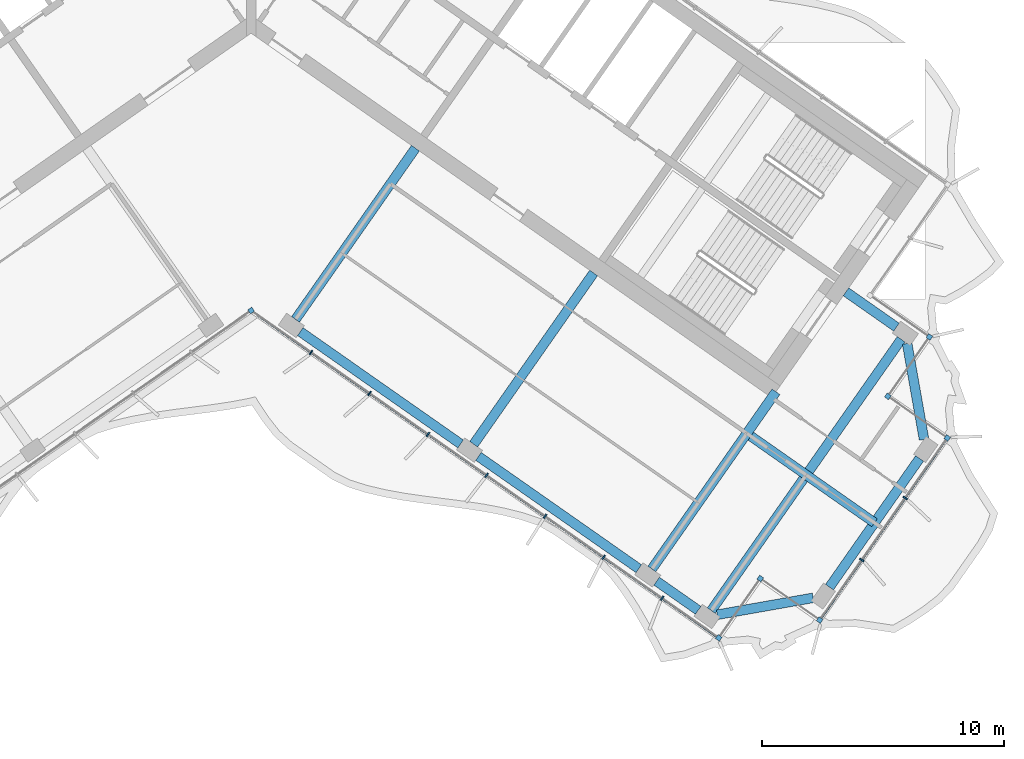
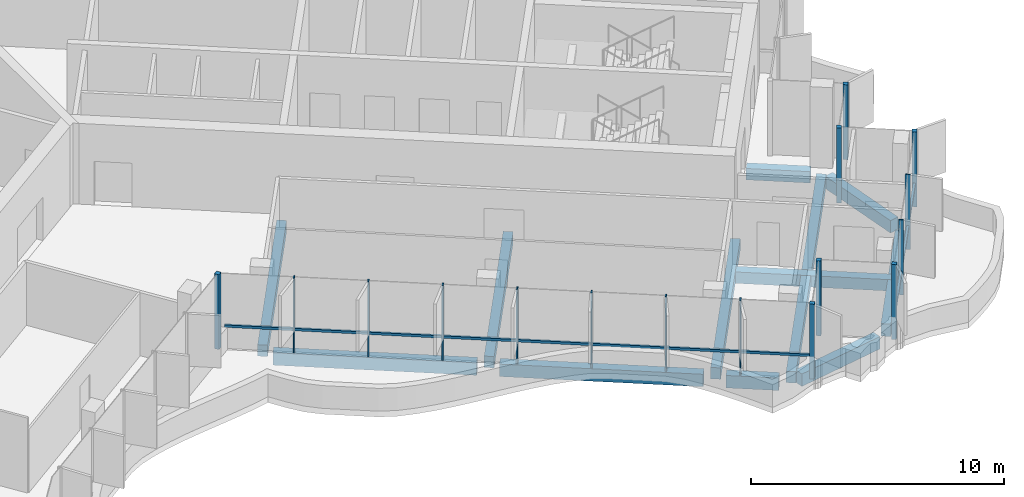
# One storey, part 4 of 17: 18 members, 12 beams, 1 element without a shape of its own.
"""IFC4 building model written with IfcOpenShell, lengths in metres."""

from ifc_helpers import new_model, si_unit, direction, frame, origin, origin_2d, place, context, subcontext, project, spatial, rectangle, extrude, material, material_profile, profile_set, type_object, element, aggregate, save


model = new_model("IFC4")

# Units and contexts
model_context = context("Model", 3, precision=1e-05, world=origin(), true_north=direction((0.0, 1.0)))
body_context = subcontext(model_context, "Body", "Model", "MODEL_VIEW")
ifc_project = project(units=[si_unit("LENGTHUNIT", "METRE"), si_unit("AREAUNIT", "SQUARE_METRE"), si_unit("VOLUMEUNIT", "CUBIC_METRE"), si_unit("PLANEANGLEUNIT", "RADIAN"), si_unit("MASSUNIT", "GRAM", prefix="KILO")], contexts=[model_context])

# Site, building, storey
site_placement = place(None, origin())
site = spatial("IfcSite", under=ifc_project, at=site_placement, CompositionType="ELEMENT")
building_placement = place(site_placement, origin())
building = spatial("IfcBuilding", under=site, at=building_placement, Name="Tel Ilan Convention Tower", CompositionType="ELEMENT")
storey_placement = place(building_placement, frame((0.0, 0.0, 287.800048828125)))
storey = spatial("IfcBuildingStorey", under=building, at=storey_placement, Name="L68", CompositionType="ELEMENT", Elevation=287.800048828125)

# Beams
ifc_material_1 = material(Name="Concrete C40/50", Category="concrete")
ifc_material_profile_1 = material_profile(ifc_material_1, rectangle(XDim=0.39990234375, YDim=0.550048828125, at=origin_2d()), Name="RC 400x550")
ifc_profile_set_1 = profile_set([ifc_material_profile_1], Name="Concrete C40/50")
beam_type_1 = type_object("IfcBeamType", Name="Beam RC 400x550 Concrete C40/50", PredefinedType="BEAM", material=ifc_profile_set_1)
beam_1_placement = place(storey_placement, frame((26.700927734375, -13.385986328125, -0.554931640625), z_axis=(-0.819119449707, 0.573622983424, 0.0), x_axis=(-0.573622983424, -0.819119449707, 0.0)))
element("IfcBeam", 1, at=beam_1_placement, inside=storey, type_object=beam_type_1, Name="L68 beam E-E-BC-core", PredefinedType="BEAM", context=body_context, shape_type="SweptSolid", body=[
    extrude(rectangle(XDim=0.39990234375, YDim=0.550048828125, at=origin_2d()), origin(), (0.0, 0.0, 1.0), 2.5498046875),
])
for number, where, z_axis, x_axis, name in (
    (2, (1.83740234375, -13.06689453125, -0.554931640625), (0.573574099654, 0.819153680457, 0.0), (-0.819153680457, 0.573574099654, 0.0), "L68 beam E-E-F1-core"),
    (3, (9.209716796875, -18.229248046875, -0.554931640625), (0.573574099654, 0.819153680457, 0.0), (-0.819153680457, 0.573574099654, 0.0), "L68 beam E-E-F2-core"),
):
    element("IfcBeam", number, at=place(storey_placement, frame(where, z_axis=z_axis, x_axis=x_axis)), inside=storey, type_object=beam_type_1, Name=name, PredefinedType="BEAM", context=body_context, shape_type="SweptSolid", body=[
        extrude(rectangle(XDim=0.39990234375, YDim=0.550048828125, at=origin_2d()), origin(), (0.0, 0.0, 1.0), 8.64990234375),
    ])
beam_2_placement = place(storey_placement, frame((16.58203125, -23.391357421875, -0.554931640625), z_axis=(0.573584999642, 0.819146048141, 0.0), x_axis=(-0.819146048141, 0.573584999642, 0.0)))
element("IfcBeam", 4, at=beam_2_placement, inside=storey, type_object=beam_type_1, Name="L68 beam E-E-F3-core", PredefinedType="BEAM", context=body_context, shape_type="SweptSolid", body=[
    extrude(rectangle(XDim=0.39990234375, YDim=0.550048828125, at=origin_2d()), origin(), (0.0, 0.0, 1.0), 8.949951171875),
])
beam_3_placement = place(storey_placement, frame((20.6748046875, -17.89501953125, -0.554931640625), z_axis=(0.819171356584, -0.573548854548, 0.0), x_axis=(0.573548854548, 0.819171356584, 0.0)))
element("IfcBeam", 5, at=beam_3_placement, inside=storey, type_object=beam_type_1, Name="L68 beam E-core-end", PredefinedType="BEAM", context=body_context, shape_type="SweptSolid", body=[
    extrude(rectangle(XDim=0.39990234375, YDim=0.550048828125, at=origin_2d()), origin(), (0.0, 0.0, 1.0), 6.25),
])
beam_4_placement = place(storey_placement, frame((19.03955078125, -25.112060546875, -0.554931640625), z_axis=(0.57357117602, 0.819155727587, 0.0), x_axis=(-0.819155727587, 0.57357117602, 0.0)))
element("IfcBeam", 6, at=beam_4_placement, inside=storey, type_object=beam_type_1, Name="L68 beam E-E-FC-E-BC", PredefinedType="BEAM", context=body_context, shape_type="SweptSolid", body=[
    extrude(rectangle(XDim=0.39990234375, YDim=0.550048828125, at=origin_2d()), origin(), (0.0, 0.0, 1.0), 13.699951171875),
])
ifc_material_2 = material(Name="Concrete C40/50", Category="concrete")
ifc_material_profile_2 = material_profile(ifc_material_2, rectangle(XDim=0.39990234375, YDim=0.60009765625, at=origin_2d()), Name="RC 400x600")
ifc_profile_set_2 = profile_set([ifc_material_profile_2], Name="Concrete C40/50")
beam_type_2 = type_object("IfcBeamType", Name="Beam RC 400x600 Concrete C40/50", PredefinedType="BEAM", material=ifc_profile_set_2)
beam_5_placement = place(storey_placement, frame((2.033935546875, -13.57080078125, -0.580078125), z_axis=(0.81914553362, -0.573585734437, 0.0), x_axis=(0.573585734437, 0.81914553362, 0.0)))
element("IfcBeam", 7, at=beam_5_placement, inside=storey, type_object=beam_type_2, Name="L68 beam E-E-F1-E-F2", PredefinedType="BEAM", context=body_context, shape_type="SweptSolid", body=[
    extrude(rectangle(XDim=0.39990234375, YDim=0.60009765625, at=origin_2d()), origin(), (0.0, 0.0, 1.0), 8.099853515625),
])
beam_6_placement = place(storey_placement, frame((9.40625, -18.73291015625, -0.580078125), z_axis=(0.819155449703, -0.573571572885, 0.0), x_axis=(0.573571572885, 0.819155449703, 0.0)))
element("IfcBeam", 8, at=beam_6_placement, inside=storey, type_object=beam_type_2, Name="L68 beam E-E-F2-E-F3", PredefinedType="BEAM", context=body_context, shape_type="SweptSolid", body=[
    extrude(rectangle(XDim=0.39990234375, YDim=0.60009765625, at=origin_2d()), origin(), (0.0, 0.0, 1.0), 8.10009765625),
])
beam_7_placement = place(storey_placement, frame((16.778564453125, -23.895263671875, -0.580078125), z_axis=(0.819188222026, -0.573524765719, 0.0), x_axis=(0.573524765719, 0.819188222026, 0.0)))
element("IfcBeam", 9, at=beam_7_placement, inside=storey, type_object=beam_type_2, Name="L68 beam E-E-F3-E-FC", PredefinedType="BEAM", context=body_context, shape_type="SweptSolid", body=[
    extrude(rectangle(XDim=0.39990234375, YDim=0.60009765625, at=origin_2d()), origin(), (0.0, 0.0, 1.0), 2.099853515625),
])
beam_8_placement = place(storey_placement, frame((19.285400390625, -25.2841796875, -0.580078125), z_axis=(0.984804894423, 0.173664388751, 0.0), x_axis=(-0.173664388751, 0.984804894423, 0.0)))
element("IfcBeam", 10, at=beam_8_placement, inside=storey, type_object=beam_type_2, Name="L68 beam E-E-FC-E-E1", PredefinedType="BEAM", context=body_context, shape_type="SweptSolid", body=[
    extrude(rectangle(XDim=0.39990234375, YDim=0.60009765625, at=origin_2d()), origin(), (0.0, 0.0, 1.0), 4.030517578125),
])
beam_9_placement = place(storey_placement, frame((23.930419921875, -24.14208984375, -0.580078125), z_axis=(0.573563169494, 0.819161333682, 0.0), x_axis=(-0.819161333682, 0.573563169494, 0.0)))
element("IfcBeam", 11, at=beam_9_placement, inside=storey, type_object=beam_type_2, Name="L68 beam E-E-E1-E-E2", PredefinedType="BEAM", context=body_context, shape_type="SweptSolid", body=[
    extrude(rectangle(XDim=0.39990234375, YDim=0.60009765625, at=origin_2d()), origin(), (0.0, 0.0, 1.0), 6.500244140625),
])
beam_10_placement = place(storey_placement, frame((27.84326171875, -18.031005859375, -0.580078125), z_axis=(-0.173664388751, 0.984804894423, 0.0), x_axis=(-0.984804894423, -0.173664388751, 0.0)))
element("IfcBeam", 12, at=beam_10_placement, inside=storey, type_object=beam_type_2, Name="L68 beam E-E-E2-E-BC", PredefinedType="BEAM", context=body_context, shape_type="SweptSolid", body=[
    extrude(rectangle(XDim=0.39990234375, YDim=0.60009765625, at=origin_2d()), origin(), (0.0, 0.0, 1.0), 4.030517578125),
])

# Curtain wall, members
ifc_material_3 = material(Name="Aluminium, bronze anodised", Category="aluminium")
curtain_wall_type = type_object("IfcCurtainWallType", Name="CW5 STICK CURTAIN WALL, UPPER OFFICE LOW-IRON TINTED GLASS", PredefinedType="NOTDEFINED", material=ifc_material_3)
curtain_wall_placement = place(storey_placement, origin())
curtain_wall = element("IfcCurtainWall", 13, at=curtain_wall_placement, inside=storey, type_object=curtain_wall_type, Name="Curtain wall CW5-51.02", PredefinedType="NOTDEFINED")
ifc_material_4 = material(Name="Aluminium, bronze anodised", Category="aluminium")
ifc_material_profile_3 = material_profile(ifc_material_4, rectangle(XDim=0.199951171875, YDim=0.199951171875, at=origin_2d()), Name="CW CORNER MULLION 200x200")
ifc_profile_set_3 = profile_set([ifc_material_profile_3], Name="Aluminium, bronze anodised")
member_type_1 = type_object("IfcMemberType", Name="CW CORNER MULLION 200x200", PredefinedType="MULLION", material=ifc_profile_set_3)
member_1_placement = place(storey_placement, frame((0.0, -12.696044921875, 0.0), z_axis=(0.0, 0.0, 1.0), x_axis=(0.819152044289, 0.573576436351, 0.0)))
member_1 = element("IfcMember", 14, at=member_1_placement, type_object=member_type_1, Name="Corner mullion", PredefinedType="MULLION", context=body_context, shape_type="SweptSolid", body=[
    extrude(rectangle(XDim=0.199951171875, YDim=0.199951171875, at=origin_2d()), origin(), (0.0, 0.0, 1.0), 3.619873046875),
])
member_2_placement = place(storey_placement, frame((19.3466796875, -26.24267578125, 0.0), z_axis=(0.0, 0.0, 1.0), x_axis=(0.819152044289, -0.573576436351, 0.0)))
member_2 = element("IfcMember", 15, at=member_2_placement, type_object=member_type_1, Name="Corner mullion", PredefinedType="MULLION", context=body_context, shape_type="SweptSolid", body=[
    extrude(rectangle(XDim=0.199951171875, YDim=0.199951171875, at=origin_2d()), origin(), (0.0, 0.0, 1.0), 3.619873046875),
])
member_3_placement = place(storey_placement, frame((21.0673828125, -23.78515625, 0.0), z_axis=(0.0, 0.0, 1.0), x_axis=(0.573576436351, 0.819152044289, 0.0)))
member_3 = element("IfcMember", 16, at=member_3_placement, type_object=member_type_1, Name="Corner mullion", PredefinedType="MULLION", context=body_context, shape_type="SweptSolid", body=[
    extrude(rectangle(XDim=0.199951171875, YDim=0.199951171875, at=origin_2d()), origin(), (0.0, 0.0, 1.0), 3.619873046875),
])
member_4_placement = place(storey_placement, frame((23.52490234375, -25.505859375, 0.0), z_axis=(0.0, 0.0, 1.0), x_axis=(0.819152044289, -0.573576436351, 0.0)))
member_4 = element("IfcMember", 17, at=member_4_placement, type_object=member_type_1, Name="Corner mullion", PredefinedType="MULLION", context=body_context, shape_type="SweptSolid", body=[
    extrude(rectangle(XDim=0.199951171875, YDim=0.199951171875, at=origin_2d()), origin(), (0.0, 0.0, 1.0), 3.619873046875),
])
member_5_placement = place(storey_placement, frame((28.8017578125, -17.9697265625, 0.0), z_axis=(0.0, 0.0, 1.0), x_axis=(0.573576436351, 0.819152044289, 0.0)))
member_5 = element("IfcMember", 18, at=member_5_placement, type_object=member_type_1, Name="Corner mullion", PredefinedType="MULLION", context=body_context, shape_type="SweptSolid", body=[
    extrude(rectangle(XDim=0.199951171875, YDim=0.199951171875, at=origin_2d()), origin(), (0.0, 0.0, 1.0), 3.619873046875),
])
member_6_placement = place(storey_placement, frame((26.34423828125, -16.2490234375, 0.0), z_axis=(0.0, 0.0, 1.0), x_axis=(-0.819152044289, 0.573576436351, 0.0)))
member_6 = element("IfcMember", 19, at=member_6_placement, type_object=member_type_1, Name="Corner mullion", PredefinedType="MULLION", context=body_context, shape_type="SweptSolid", body=[
    extrude(rectangle(XDim=0.199951171875, YDim=0.199951171875, at=origin_2d()), origin(), (0.0, 0.0, 1.0), 3.619873046875),
])
member_7_placement = place(storey_placement, frame((28.06494140625, -13.79150390625, 0.0), z_axis=(0.0, 0.0, 1.0), x_axis=(0.573576436351, 0.819152044289, 0.0)))
member_7 = element("IfcMember", 20, at=member_7_placement, type_object=member_type_1, Name="Corner mullion", PredefinedType="MULLION", context=body_context, shape_type="SweptSolid", body=[
    extrude(rectangle(XDim=0.199951171875, YDim=0.199951171875, at=origin_2d()), origin(), (0.0, 0.0, 1.0), 3.619873046875),
])
ifc_material_5 = material(Name="Aluminium, bronze anodised", Category="aluminium")
ifc_material_profile_4 = material_profile(ifc_material_5, rectangle(XDim=0.06005859375, YDim=0.199951171875, at=origin_2d()), Name="CW MULLION 60x200")
ifc_profile_set_4 = profile_set([ifc_material_profile_4], Name="Aluminium, bronze anodised")
member_type_2 = type_object("IfcMemberType", Name="CW MULLION 60x200", PredefinedType="MULLION", material=ifc_profile_set_4)
member_8_placement = place(storey_placement, frame((2.478759765625, -14.431640625, 0.0), z_axis=(0.0, 0.0, 1.0), x_axis=(0.819152044289, -0.573576436351, 0.0)))
member_8 = element("IfcMember", 21, at=member_8_placement, type_object=member_type_2, Name="Mullion", PredefinedType="MULLION", context=body_context, shape_type="SweptSolid", body=[
    extrude(rectangle(XDim=0.06005859375, YDim=0.199951171875, at=origin_2d()), origin(), (0.0, 0.0, 1.0), 3.619873046875),
])
member_9_placement = place(storey_placement, frame((4.900146484375, -16.127197265625, 0.0), z_axis=(0.0, 0.0, 1.0), x_axis=(0.819152044289, -0.573576436351, 0.0)))
member_9 = element("IfcMember", 22, at=member_9_placement, type_object=member_type_2, Name="Mullion", PredefinedType="MULLION", context=body_context, shape_type="SweptSolid", body=[
    extrude(rectangle(XDim=0.06005859375, YDim=0.199951171875, at=origin_2d()), origin(), (0.0, 0.0, 1.0), 3.619873046875),
])
member_10_placement = place(storey_placement, frame((7.321533203125, -17.82275390625, 0.0), z_axis=(0.0, 0.0, 1.0), x_axis=(0.819152044289, -0.573576436351, 0.0)))
member_10 = element("IfcMember", 23, at=member_10_placement, type_object=member_type_2, Name="Mullion", PredefinedType="MULLION", context=body_context, shape_type="SweptSolid", body=[
    extrude(rectangle(XDim=0.06005859375, YDim=0.199951171875, at=origin_2d()), origin(), (0.0, 0.0, 1.0), 3.619873046875),
])
member_11_placement = place(storey_placement, frame((9.742919921875, -19.51806640625, 0.0), z_axis=(0.0, 0.0, 1.0), x_axis=(0.819152044289, -0.573576436351, 0.0)))
member_11 = element("IfcMember", 24, at=member_11_placement, type_object=member_type_2, Name="Mullion", PredefinedType="MULLION", context=body_context, shape_type="SweptSolid", body=[
    extrude(rectangle(XDim=0.06005859375, YDim=0.199951171875, at=origin_2d()), origin(), (0.0, 0.0, 1.0), 3.619873046875),
])
member_12_placement = place(storey_placement, frame((12.164306640625, -21.213623046875, 0.0), z_axis=(0.0, 0.0, 1.0), x_axis=(0.819152044289, -0.573576436351, 0.0)))
member_12 = element("IfcMember", 25, at=member_12_placement, type_object=member_type_2, Name="Mullion", PredefinedType="MULLION", context=body_context, shape_type="SweptSolid", body=[
    extrude(rectangle(XDim=0.06005859375, YDim=0.199951171875, at=origin_2d()), origin(), (0.0, 0.0, 1.0), 3.619873046875),
])
member_13_placement = place(storey_placement, frame((14.585693359375, -22.9091796875, 0.0), z_axis=(0.0, 0.0, 1.0), x_axis=(0.819152044289, -0.573576436351, 0.0)))
member_13 = element("IfcMember", 26, at=member_13_placement, type_object=member_type_2, Name="Mullion", PredefinedType="MULLION", context=body_context, shape_type="SweptSolid", body=[
    extrude(rectangle(XDim=0.06005859375, YDim=0.199951171875, at=origin_2d()), origin(), (0.0, 0.0, 1.0), 3.619873046875),
])
member_14_placement = place(storey_placement, frame((17.007080078125, -24.6044921875, 0.0), z_axis=(0.0, 0.0, 1.0), x_axis=(0.819152044289, -0.573576436351, 0.0)))
member_14 = element("IfcMember", 27, at=member_14_placement, type_object=member_type_2, Name="Mullion", PredefinedType="MULLION", context=body_context, shape_type="SweptSolid", body=[
    extrude(rectangle(XDim=0.06005859375, YDim=0.199951171875, at=origin_2d()), origin(), (0.0, 0.0, 1.0), 3.619873046875),
])
member_15_placement = place(storey_placement, frame((25.2646484375, -23.021240234375, 0.0), z_axis=(0.0, 0.0, 1.0), x_axis=(0.573576436351, 0.819152044289, 0.0)))
member_15 = element("IfcMember", 28, at=member_15_placement, type_object=member_type_2, Name="Mullion", PredefinedType="MULLION", context=body_context, shape_type="SweptSolid", body=[
    extrude(rectangle(XDim=0.06005859375, YDim=0.199951171875, at=origin_2d()), origin(), (0.0, 0.0, 1.0), 3.619873046875),
])
member_16_placement = place(storey_placement, frame((27.061767578125, -20.45458984375, 0.0), z_axis=(0.0, 0.0, 1.0), x_axis=(0.573576436351, 0.819152044289, 0.0)))
member_16 = element("IfcMember", 29, at=member_16_placement, type_object=member_type_2, Name="Mullion", PredefinedType="MULLION", context=body_context, shape_type="SweptSolid", body=[
    extrude(rectangle(XDim=0.06005859375, YDim=0.199951171875, at=origin_2d()), origin(), (0.0, 0.0, 1.0), 3.619873046875),
])
ifc_material_6 = material(Name="Aluminium, bronze anodised", Category="aluminium")
ifc_material_profile_5 = material_profile(ifc_material_6, rectangle(XDim=0.10009765625, YDim=0.1201171875, at=origin_2d()), Name="CW TRANSOM 100x120")
ifc_profile_set_5 = profile_set([ifc_material_profile_5], Name="Aluminium, bronze anodised")
member_type_3 = type_object("IfcMemberType", Name="CW TRANSOM 100x120", PredefinedType="USERDEFINED", material=ifc_profile_set_5)
member_17_placement = place(storey_placement, frame((0.22119140625, -12.850830078125, 1.099853515625), z_axis=(0.81915001336, -0.573579336808, 0.0), x_axis=(0.573579336808, 0.81915001336, 0.0)))
member_17 = element("IfcMember", 30, at=member_17_placement, type_object=member_type_3, Name="Transom", ObjectType="TRANSOM", PredefinedType="USERDEFINED", context=body_context, shape_type="SweptSolid", body=[
    extrude(rectangle(XDim=0.10009765625, YDim=0.1201171875, at=origin_2d()), origin(), (0.0, 0.0, 1.0), 23.247802734375),
])
member_18_placement = place(storey_placement, frame((23.58203125, -25.424072265625, 1.099853515625), z_axis=(0.573591598124, 0.819141427692, 0.0), x_axis=(-0.819141427692, 0.573591598124, 0.0)))
member_18 = element("IfcMember", 31, at=member_18_placement, type_object=member_type_3, Name="Transom", ObjectType="TRANSOM", PredefinedType="USERDEFINED", context=body_context, shape_type="SweptSolid", body=[
    extrude(rectangle(XDim=0.10009765625, YDim=0.1201171875, at=origin_2d()), origin(), (0.0, 0.0, 1.0), 9.0),
])
aggregate(curtain_wall, [member_1, member_8, member_9, member_10, member_11, member_12, member_13, member_14, member_2, member_17, member_3, member_4, member_15, member_16, member_5, member_18, member_6, member_7])

save(model, "model.ifc")
